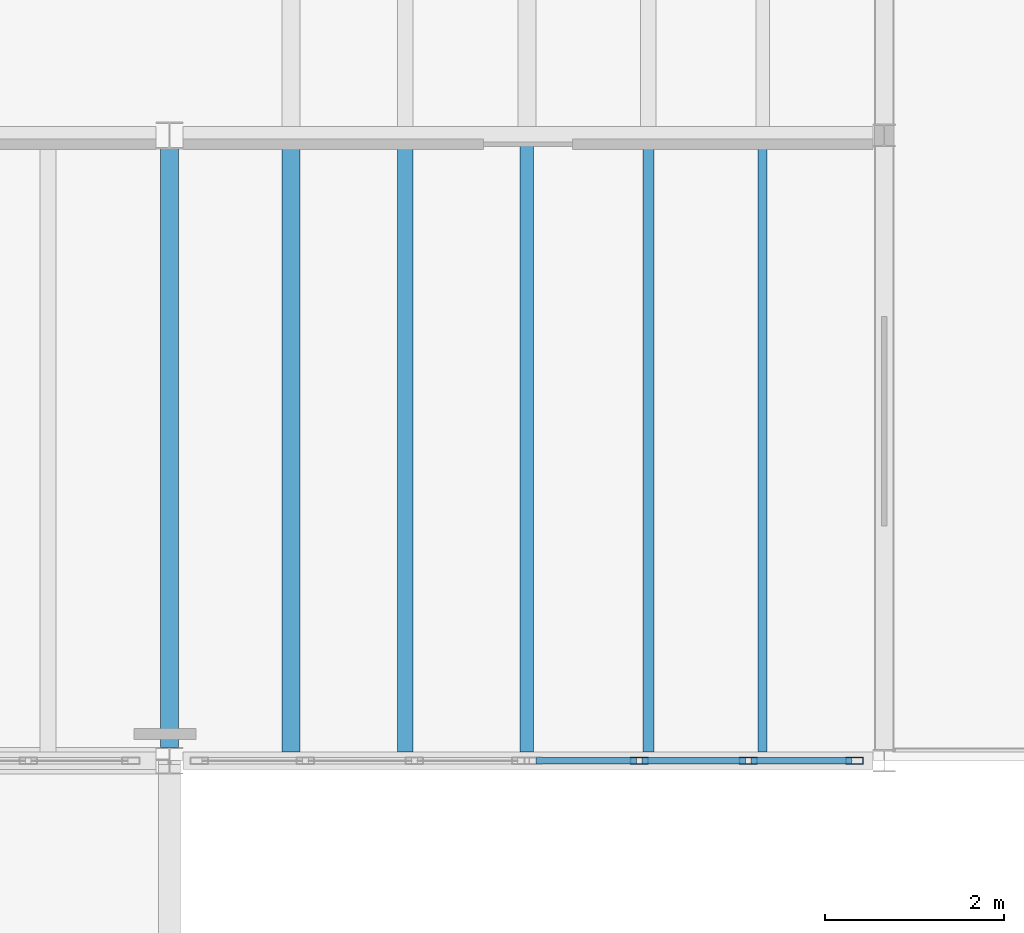
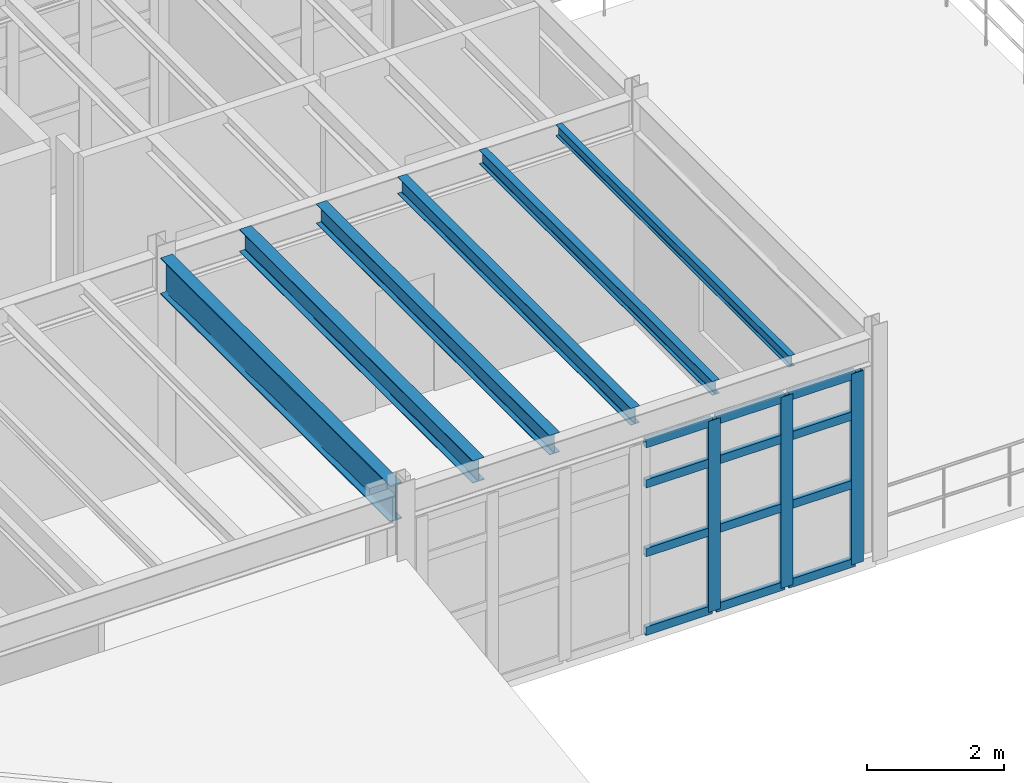
# One storey, part 16 of 77: 15 members, 6 beams, 1 element without a shape of its own.
"""IFC4 building model written with IfcOpenShell, lengths in metres."""

from ifc_helpers import new_model, si_unit, direction, frame, origin, origin_2d, place, context, subcontext, project, spatial, hollow_rectangle, i_section, extrude, material, material_profile, profile_set, type_object, element, aggregate, save


model = new_model("IFC4")

# Units and contexts
model_context = context("Model", 3, precision=1e-05, world=origin(), true_north=direction((0.0, 1.0)))
body_context = subcontext(model_context, "Body", "Model", "MODEL_VIEW")
ifc_project = project(units=[si_unit("LENGTHUNIT", "METRE"), si_unit("AREAUNIT", "SQUARE_METRE"), si_unit("VOLUMEUNIT", "CUBIC_METRE"), si_unit("PLANEANGLEUNIT", "RADIAN"), si_unit("MASSUNIT", "GRAM", prefix="KILO"), si_unit("THERMODYNAMICTEMPERATUREUNIT", "KELVIN"), si_unit("POWERUNIT", "WATT")], contexts=[model_context])

# Site, building, storey
site_placement = place(None, origin())
site = spatial("IfcSite", under=ifc_project, at=site_placement, CompositionType="ELEMENT")
building_placement = place(site_placement, origin())
building = spatial("IfcBuilding", under=site, at=building_placement, Name="Zhenchuan Central Fire Station", CompositionType="ELEMENT")
storey_placement = place(building_placement, frame((0.0, 0.0, 10.050048828125)))
storey = spatial("IfcBuildingStorey", under=building, at=storey_placement, Name="L03", CompositionType="ELEMENT", Elevation=10.050048828125)

# Beam
ifc_material_1 = material(Name="Steel Q355B", Category="steel")
ifc_material_profile_1 = material_profile(ifc_material_1, i_section(OverallWidth=0.199951171875, OverallDepth=0.64990234375, WebThickness=0.011962890625, FlangeThickness=0.02001953125, FilletRadius=0.02197265625, at=origin_2d()), Name="HN 650x200")
ifc_profile_set_1 = profile_set([ifc_material_profile_1], Name="Steel Q355B")
beam_type_1 = type_object("IfcBeamType", Name="BM-HN650", PredefinedType="BEAM", material=ifc_profile_set_1)
beam_1_placement = place(storey_placement, frame((40.0, 42.64990234375, 3.655029296875), z_axis=(0.0, 1.0, 0.0), x_axis=(-1.0, 0.0, 0.0)))
element("IfcBeam", 1, at=beam_1_placement, inside=storey, type_object=beam_type_1, Name="L04 Girder NS 0397", PredefinedType="BEAM", context=body_context, shape_type="SweptSolid", body=[
    extrude(i_section(OverallWidth=0.199951171875, OverallDepth=0.64990234375, WebThickness=0.011962890625, FlangeThickness=0.02001953125, FilletRadius=0.02197265625, at=origin_2d()), origin(), (0.0, 0.0, 1.0), 6.7001953125),
])

# Curtain wall, members
ifc_material_2 = material(Name="Anodised aluminium and low-E glazing", Category="aluminium")
curtain_wall_type = type_object("IfcCurtainWallType", Name="CW-MOD-08", PredefinedType="USERDEFINED", material=ifc_material_2)
curtain_wall_placement = place(storey_placement, origin())
curtain_wall = element("IfcCurtainWall", 2, at=curtain_wall_placement, inside=storey, type_object=curtain_wall_type, Name="L03 Unitised Curtain Wall 071", ObjectType="UNITISED GLAZING", PredefinedType="USERDEFINED")
ifc_material_3 = material(Name="Anodised aluminium EN AW-6063", Category="aluminium")
ifc_material_profile_2 = material_profile(ifc_material_3, hollow_rectangle(XDim=0.074951171875, YDim=0.199951171875, WallThickness=0.0048828125, at=origin_2d()), Name="ALU-M 200x75")
ifc_profile_set_2 = profile_set([ifc_material_profile_2], Name="Anodised aluminium EN AW-6063")
member_type_1 = type_object("IfcMemberType", Name="CW-MUL160", PredefinedType="MULLION", material=ifc_profile_set_2)
member_1_placement = place(storey_placement, frame((45.258544921875, 42.5, -0.004150390625), z_axis=(0.0, 0.0, 1.0), x_axis=(0.0, 1.0, 0.0)))
member_1 = element("IfcMember", 3, at=member_1_placement, type_object=member_type_1, Name="CW-08 mullion 2", PredefinedType="MULLION", context=body_context, shape_type="SweptSolid", body=[
    extrude(hollow_rectangle(XDim=0.074951171875, YDim=0.199951171875, WallThickness=0.0048828125, at=origin_2d()), origin(), (0.0, 0.0, 1.0), 3.404052734375),
])
member_2_placement = place(storey_placement, frame((46.479248046875, 42.5, -0.004150390625), z_axis=(0.0, 0.0, 1.0), x_axis=(0.0, 1.0, 0.0)))
member_2 = element("IfcMember", 4, at=member_2_placement, type_object=member_type_1, Name="CW-08 mullion 3", PredefinedType="MULLION", context=body_context, shape_type="SweptSolid", body=[
    extrude(hollow_rectangle(XDim=0.074951171875, YDim=0.199951171875, WallThickness=0.0048828125, at=origin_2d()), origin(), (0.0, 0.0, 1.0), 3.404052734375),
])
member_3_placement = place(storey_placement, frame((47.66748046875, 42.5, -0.004150390625), z_axis=(0.0, 0.0, 1.0), x_axis=(0.0, 1.0, 0.0)))
member_3 = element("IfcMember", 5, at=member_3_placement, type_object=member_type_1, Name="CW-08 mullion 4", PredefinedType="MULLION", context=body_context, shape_type="SweptSolid", body=[
    extrude(hollow_rectangle(XDim=0.074951171875, YDim=0.199951171875, WallThickness=0.0048828125, at=origin_2d()), origin(), (0.0, 0.0, 1.0), 3.404052734375),
])
ifc_material_profile_3 = material_profile(ifc_material_3, hollow_rectangle(XDim=0.074951171875, YDim=0.14990234375, WallThickness=0.0048828125, at=origin_2d()), Name="ALU-T 150x75")
ifc_profile_set_3 = profile_set([ifc_material_profile_3], Name="Anodised aluminium EN AW-6063")
member_type_2 = type_object("IfcMemberType", Name="CW-TRN130", PredefinedType="NOTDEFINED", material=ifc_profile_set_3)
member_4_placement = place(storey_placement, frame((44.10302734375, 42.5, 0.028564453125), z_axis=(1.0, 0.0, 0.0), x_axis=(0.0, 1.0, 0.0)))
member_4 = element("IfcMember", 6, at=member_4_placement, type_object=member_type_2, Name="CW-08 transom 1.1", ObjectType="TRANSOM", PredefinedType="USERDEFINED", context=body_context, shape_type="SweptSolid", body=[
    extrude(hollow_rectangle(XDim=0.074951171875, YDim=0.14990234375, WallThickness=0.0048828125, at=origin_2d()), origin(), (0.0, 0.0, 1.0), 1.123046875),
])
member_5_placement = place(storey_placement, frame((44.10302734375, 42.5, 1.427978515625), z_axis=(1.0, 0.0, 0.0), x_axis=(0.0, 1.0, 0.0)))
member_5 = element("IfcMember", 7, at=member_5_placement, type_object=member_type_2, Name="CW-08 transom 1.2", ObjectType="TRANSOM", PredefinedType="USERDEFINED", context=body_context, shape_type="SweptSolid", body=[
    extrude(hollow_rectangle(XDim=0.074951171875, YDim=0.14990234375, WallThickness=0.0048828125, at=origin_2d()), origin(), (0.0, 0.0, 1.0), 1.123046875),
])
member_6_placement = place(storey_placement, frame((44.10302734375, 42.5, 2.65185546875), z_axis=(1.0, 0.0, 0.0), x_axis=(0.0, 1.0, 0.0)))
member_6 = element("IfcMember", 8, at=member_6_placement, type_object=member_type_2, Name="CW-08 transom 1.3", ObjectType="TRANSOM", PredefinedType="USERDEFINED", context=body_context, shape_type="SweptSolid", body=[
    extrude(hollow_rectangle(XDim=0.074951171875, YDim=0.14990234375, WallThickness=0.0048828125, at=origin_2d()), origin(), (0.0, 0.0, 1.0), 1.123046875),
])
member_7_placement = place(storey_placement, frame((44.10302734375, 42.5, 3.367431640625), z_axis=(1.0, 0.0, 0.0), x_axis=(0.0, 1.0, 0.0)))
member_7 = element("IfcMember", 9, at=member_7_placement, type_object=member_type_2, Name="CW-08 transom 1.4", ObjectType="TRANSOM", PredefinedType="USERDEFINED", context=body_context, shape_type="SweptSolid", body=[
    extrude(hollow_rectangle(XDim=0.074951171875, YDim=0.14990234375, WallThickness=0.0048828125, at=origin_2d()), origin(), (0.0, 0.0, 1.0), 1.123046875),
])
member_8_placement = place(storey_placement, frame((45.291259765625, 42.5, 0.028564453125), z_axis=(1.0, 0.0, 0.0), x_axis=(0.0, 1.0, 0.0)))
member_8 = element("IfcMember", 10, at=member_8_placement, type_object=member_type_2, Name="CW-08 transom 2.1", ObjectType="TRANSOM", PredefinedType="USERDEFINED", context=body_context, shape_type="SweptSolid", body=[
    extrude(hollow_rectangle(XDim=0.074951171875, YDim=0.14990234375, WallThickness=0.0048828125, at=origin_2d()), origin(), (0.0, 0.0, 1.0), 1.155517578125),
])
member_9_placement = place(storey_placement, frame((45.291259765625, 42.5, 1.427978515625), z_axis=(1.0, 0.0, 0.0), x_axis=(0.0, 1.0, 0.0)))
member_9 = element("IfcMember", 11, at=member_9_placement, type_object=member_type_2, Name="CW-08 transom 2.2", ObjectType="TRANSOM", PredefinedType="USERDEFINED", context=body_context, shape_type="SweptSolid", body=[
    extrude(hollow_rectangle(XDim=0.074951171875, YDim=0.14990234375, WallThickness=0.0048828125, at=origin_2d()), origin(), (0.0, 0.0, 1.0), 1.155517578125),
])
member_10_placement = place(storey_placement, frame((45.291259765625, 42.5, 2.65185546875), z_axis=(1.0, 0.0, 0.0), x_axis=(0.0, 1.0, 0.0)))
member_10 = element("IfcMember", 12, at=member_10_placement, type_object=member_type_2, Name="CW-08 transom 2.3", ObjectType="TRANSOM", PredefinedType="USERDEFINED", context=body_context, shape_type="SweptSolid", body=[
    extrude(hollow_rectangle(XDim=0.074951171875, YDim=0.14990234375, WallThickness=0.0048828125, at=origin_2d()), origin(), (0.0, 0.0, 1.0), 1.155517578125),
])
member_11_placement = place(storey_placement, frame((45.291259765625, 42.5, 3.367431640625), z_axis=(1.0, 0.0, 0.0), x_axis=(0.0, 1.0, 0.0)))
member_11 = element("IfcMember", 13, at=member_11_placement, type_object=member_type_2, Name="CW-08 transom 2.4", ObjectType="TRANSOM", PredefinedType="USERDEFINED", context=body_context, shape_type="SweptSolid", body=[
    extrude(hollow_rectangle(XDim=0.074951171875, YDim=0.14990234375, WallThickness=0.0048828125, at=origin_2d()), origin(), (0.0, 0.0, 1.0), 1.155517578125),
])
member_12_placement = place(storey_placement, frame((46.51171875, 42.5, 0.028564453125), z_axis=(1.0, 0.0, 0.0), x_axis=(0.0, 1.0, 0.0)))
member_12 = element("IfcMember", 14, at=member_12_placement, type_object=member_type_2, Name="CW-08 transom 3.1", ObjectType="TRANSOM", PredefinedType="USERDEFINED", context=body_context, shape_type="SweptSolid", body=[
    extrude(hollow_rectangle(XDim=0.074951171875, YDim=0.14990234375, WallThickness=0.0048828125, at=origin_2d()), origin(), (0.0, 0.0, 1.0), 1.123291015625),
])
member_13_placement = place(storey_placement, frame((46.51171875, 42.5, 1.427978515625), z_axis=(1.0, 0.0, 0.0), x_axis=(0.0, 1.0, 0.0)))
member_13 = element("IfcMember", 15, at=member_13_placement, type_object=member_type_2, Name="CW-08 transom 3.2", ObjectType="TRANSOM", PredefinedType="USERDEFINED", context=body_context, shape_type="SweptSolid", body=[
    extrude(hollow_rectangle(XDim=0.074951171875, YDim=0.14990234375, WallThickness=0.0048828125, at=origin_2d()), origin(), (0.0, 0.0, 1.0), 1.123291015625),
])
member_14_placement = place(storey_placement, frame((46.51171875, 42.5, 2.65185546875), z_axis=(1.0, 0.0, 0.0), x_axis=(0.0, 1.0, 0.0)))
member_14 = element("IfcMember", 16, at=member_14_placement, type_object=member_type_2, Name="CW-08 transom 3.3", ObjectType="TRANSOM", PredefinedType="USERDEFINED", context=body_context, shape_type="SweptSolid", body=[
    extrude(hollow_rectangle(XDim=0.074951171875, YDim=0.14990234375, WallThickness=0.0048828125, at=origin_2d()), origin(), (0.0, 0.0, 1.0), 1.123291015625),
])
member_15_placement = place(storey_placement, frame((46.51171875, 42.5, 3.367431640625), z_axis=(1.0, 0.0, 0.0), x_axis=(0.0, 1.0, 0.0)))
member_15 = element("IfcMember", 17, at=member_15_placement, type_object=member_type_2, Name="CW-08 transom 3.4", ObjectType="TRANSOM", PredefinedType="USERDEFINED", context=body_context, shape_type="SweptSolid", body=[
    extrude(hollow_rectangle(XDim=0.074951171875, YDim=0.14990234375, WallThickness=0.0048828125, at=origin_2d()), origin(), (0.0, 0.0, 1.0), 1.123291015625),
])
aggregate(curtain_wall, [member_1, member_2, member_3, member_4, member_5, member_6, member_7, member_8, member_9, member_10, member_11, member_12, member_13, member_14, member_15])

# Beams
ifc_material_profile_4 = material_profile(ifc_material_1, i_section(OverallWidth=0.10009765625, OverallDepth=0.199951171875, WebThickness=0.005615234375, FlangeThickness=0.008056640625, FilletRadius=0.010986328125, at=origin_2d()), Name="HN 200x100")
ifc_profile_set_4 = profile_set([ifc_material_profile_4], Name="Steel Q355B")
beam_type_2 = type_object("IfcBeamType", Name="JS-HN200", PredefinedType="JOIST", material=ifc_profile_set_4)
beam_2_placement = place(storey_placement, frame((46.639892578125, 42.596923828125, 3.8798828125), z_axis=(0.0, 1.0, 0.0), x_axis=(-1.0, 0.0, 0.0)))
element("IfcBeam", 18, at=beam_2_placement, inside=storey, type_object=beam_type_2, Name="L04 Secondary Joist 0663", PredefinedType="JOIST", context=body_context, shape_type="SweptSolid", body=[
    extrude(i_section(OverallWidth=0.10009765625, OverallDepth=0.199951171875, WebThickness=0.005615234375, FlangeThickness=0.008056640625, FilletRadius=0.010986328125, at=origin_2d()), origin(), (0.0, 0.0, 1.0), 6.80615234375),
])
ifc_material_profile_5 = material_profile(ifc_material_1, i_section(OverallWidth=0.125, OverallDepth=0.25, WebThickness=0.006103515625, FlangeThickness=0.009033203125, FilletRadius=0.011962890625, at=origin_2d()), Name="HN 250x125")
ifc_profile_set_5 = profile_set([ifc_material_profile_5], Name="Steel Q355B")
beam_type_3 = type_object("IfcBeamType", Name="JS-HN250", PredefinedType="JOIST", material=ifc_profile_set_5)
beam_3_placement = place(storey_placement, frame((45.360107421875, 42.596923828125, 3.85498046875), z_axis=(0.0, 1.0, 0.0), x_axis=(-1.0, 0.0, 0.0)))
element("IfcBeam", 19, at=beam_3_placement, inside=storey, type_object=beam_type_3, Name="L04 Secondary Joist 0662", PredefinedType="JOIST", context=body_context, shape_type="SweptSolid", body=[
    extrude(i_section(OverallWidth=0.125, OverallDepth=0.25, WebThickness=0.006103515625, FlangeThickness=0.009033203125, FilletRadius=0.011962890625, at=origin_2d()), origin(), (0.0, 0.0, 1.0), 6.80615234375),
])
ifc_material_profile_6 = material_profile(ifc_material_1, i_section(OverallWidth=0.14990234375, OverallDepth=0.300048828125, WebThickness=0.006591796875, FlangeThickness=0.009033203125, FilletRadius=0.012939453125, at=origin_2d()), Name="HN 300x150")
ifc_profile_set_6 = profile_set([ifc_material_profile_6], Name="Steel Q355B")
beam_type_4 = type_object("IfcBeamType", Name="JS-HN300", PredefinedType="JOIST", material=ifc_profile_set_6)
beam_4_placement = place(storey_placement, frame((44.0, 42.596923828125, 3.829833984375), z_axis=(0.0, 1.0, 0.0), x_axis=(-1.0, 0.0, 0.0)))
element("IfcBeam", 20, at=beam_4_placement, inside=storey, type_object=beam_type_4, Name="L04 Secondary Joist 0661", PredefinedType="JOIST", context=body_context, shape_type="SweptSolid", body=[
    extrude(i_section(OverallWidth=0.14990234375, OverallDepth=0.300048828125, WebThickness=0.006591796875, FlangeThickness=0.009033203125, FilletRadius=0.012939453125, at=origin_2d()), origin(), (0.0, 0.0, 1.0), 6.80615234375),
])
ifc_material_profile_7 = material_profile(ifc_material_1, i_section(OverallWidth=0.175048828125, OverallDepth=0.35009765625, WebThickness=0.007080078125, FlangeThickness=0.010986328125, FilletRadius=0.013916015625, at=origin_2d()), Name="HN 350x175")
ifc_profile_set_7 = profile_set([ifc_material_profile_7], Name="Steel Q355B")
beam_type_5 = type_object("IfcBeamType", Name="JS-HN350", PredefinedType="JOIST", material=ifc_profile_set_7)
beam_5_placement = place(storey_placement, frame((42.639892578125, 42.596923828125, 3.804931640625), z_axis=(0.0, 1.0, 0.0), x_axis=(-1.0, 0.0, 0.0)))
element("IfcBeam", 21, at=beam_5_placement, inside=storey, type_object=beam_type_5, Name="L04 Secondary Joist 0660", PredefinedType="JOIST", context=body_context, shape_type="SweptSolid", body=[
    extrude(i_section(OverallWidth=0.175048828125, OverallDepth=0.35009765625, WebThickness=0.007080078125, FlangeThickness=0.010986328125, FilletRadius=0.013916015625, at=origin_2d()), origin(), (0.0, 0.0, 1.0), 6.80615234375),
])
ifc_material_profile_8 = material_profile(ifc_material_1, i_section(OverallWidth=0.199951171875, OverallDepth=0.39990234375, WebThickness=0.008056640625, FlangeThickness=0.012939453125, FilletRadius=0.01611328125, at=origin_2d()), Name="HN 400x200")
ifc_profile_set_8 = profile_set([ifc_material_profile_8], Name="Steel Q355B")
beam_type_6 = type_object("IfcBeamType", Name="JS-HN400", PredefinedType="JOIST", material=ifc_profile_set_8)
beam_6_placement = place(storey_placement, frame((41.360107421875, 42.596923828125, 3.780029296875), z_axis=(0.0, 1.0, 0.0), x_axis=(-1.0, 0.0, 0.0)))
element("IfcBeam", 22, at=beam_6_placement, inside=storey, type_object=beam_type_6, Name="L04 Secondary Joist 0659", PredefinedType="JOIST", context=body_context, shape_type="SweptSolid", body=[
    extrude(i_section(OverallWidth=0.199951171875, OverallDepth=0.39990234375, WebThickness=0.008056640625, FlangeThickness=0.012939453125, FilletRadius=0.01611328125, at=origin_2d()), origin(), (0.0, 0.0, 1.0), 6.80615234375),
])

save(model, "model.ifc")
